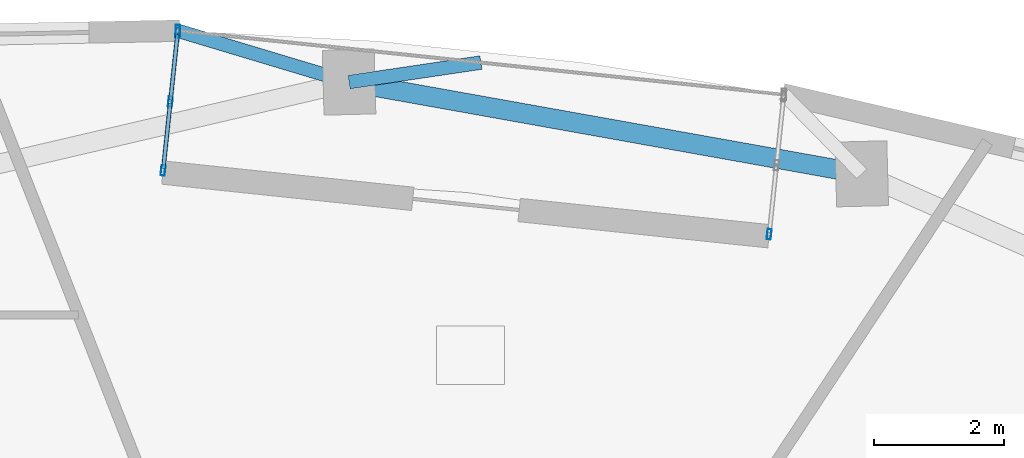
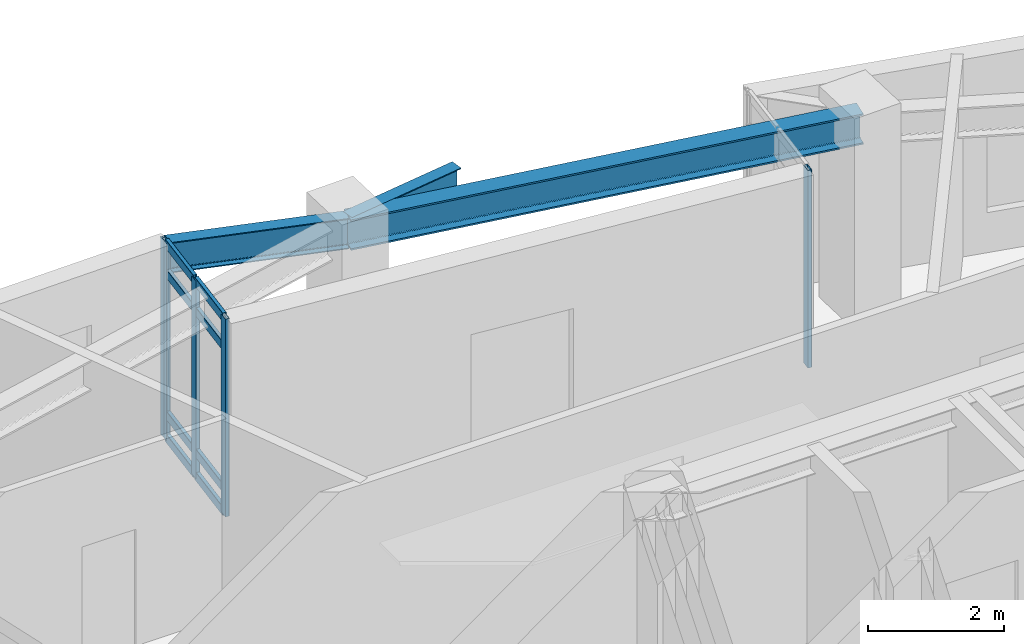
# One storey, part 2 of 11: 13 members, 3 beams, 2 elements without a shape of their own.
"""IFC4 building model written with IfcOpenShell, lengths in metres."""

import ifcopenshell
import ifcopenshell.guid

model = None  # the IFC model being written
_history = None  # IfcOwnerHistory: only IFC2X3 demands one
_inside = {}  # id of a spatial element -> (the spatial element, [elements in it])
_under = {}  # id of a project, library or spatial element -> (it, [spatial elements below it])
_declared = {}  # id of a project -> (the project, [libraries it declares])
_typed = {}  # id of a type object -> (the type object, [elements of that type])
_made_of = {}  # id of a material, layer set ... -> (it, [elements and type objects made of it])


def new_model(schema):
    """Start an empty IFC model of exactly this schema.

    Asked for "IFC4X3", IfcOpenShell would pick the latest addendum, in which some entities
    have other attributes; the version numbers below select the first issue.
    IFC2X3 requires an IfcOwnerHistory on every rooted entity: one is made here for all.
    """
    global model, _history
    if schema == "IFC4X3":
        model = ifcopenshell.file(schema_version=(4, 3, 0, 0))
    else:
        model = ifcopenshell.file(schema=schema)
    _inside.clear()
    _under.clear()
    _declared.clear()
    _typed.clear()
    _made_of.clear()
    _history = None
    if model.schema == "IFC2X3":
        org = make("IfcOrganization", Name="unknown")
        user = make(
            "IfcPersonAndOrganization",
            ThePerson=make("IfcPerson", FamilyName="unknown"),
            TheOrganization=org,
        )
        app = make(
            "IfcApplication",
            ApplicationDeveloper=org,
            Version="unknown",
            ApplicationFullName="unknown",
            ApplicationIdentifier="unknown",
        )
        _history = make(
            "IfcOwnerHistory",
            OwningUser=user,
            OwningApplication=app,
            ChangeAction="ADDED",
            CreationDate=0,
        )
    return model


def make(cls, **values):
    """One entity of the class cls with the attributes given. An attribute that is None is left unset."""
    return model.create_entity(
        cls, **{name: value for name, value in values.items() if value is not None}
    )


def rooted(cls, **values):
    """An entity with a GlobalId (a new one), such as an element, a storey or a relation."""
    return make(cls, GlobalId=ifcopenshell.guid.new(), OwnerHistory=_history, **values)


def si_unit(unit_type, name, prefix=None):
    """IfcSIUnit, for example si_unit("LENGTHUNIT", "METRE", prefix="MILLI")."""
    return make("IfcSIUnit", UnitType=unit_type, Prefix=prefix, Name=name)


def assignment(units):
    """IfcUnitAssignment: the units of a project."""
    return None if units is None else make("IfcUnitAssignment", Units=units)


def point(xyz):
    """IfcCartesianPoint."""
    return None if xyz is None else make("IfcCartesianPoint", Coordinates=xyz)


def direction(xyz):
    """IfcDirection."""
    return None if xyz is None else make("IfcDirection", DirectionRatios=xyz)


def frame(location, z_axis=None, x_axis=None):
    """IfcAxis2Placement3D, a coordinate frame: its origin and axes. An axis left out is left unset."""
    return make(
        "IfcAxis2Placement3D",
        Location=point(location),
        Axis=direction(z_axis),
        RefDirection=direction(x_axis),
    )


def frame_2d(location, x_axis=None):
    """IfcAxis2Placement2D, a coordinate frame in the plane: its origin and x axis."""
    return make(
        "IfcAxis2Placement2D", Location=point(location), RefDirection=direction(x_axis)
    )


def origin():
    """The frame at (0, 0, 0) with its axes left unset."""
    return frame((0.0, 0.0, 0.0))


def origin_2d():
    """The frame at (0, 0) in the plane with its x axis left unset."""
    return frame_2d((0.0, 0.0))


def place(relative_to, where):
    """IfcLocalPlacement: puts the frame where relative to a parent placement (None: the world)."""
    return make(
        "IfcLocalPlacement", PlacementRelTo=relative_to, RelativePlacement=where
    )


def context(
    kind, dimensions, precision=None, world=None, true_north=None, identifier=None
):
    """IfcGeometricRepresentationContext, for example the 3D "Model" context."""
    return make(
        "IfcGeometricRepresentationContext",
        ContextIdentifier=identifier,
        ContextType=kind,
        CoordinateSpaceDimension=dimensions,
        Precision=precision,
        WorldCoordinateSystem=world,
        TrueNorth=true_north,
    )


def subcontext(parent, identifier, kind, view, scale=None):
    """IfcGeometricRepresentationSubContext, for example "Body" below "Model"."""
    return make(
        "IfcGeometricRepresentationSubContext",
        ContextIdentifier=identifier,
        ContextType=kind,
        ParentContext=parent,
        TargetScale=scale,
        TargetView=view,
    )


def project(units=None, contexts=None):
    """IfcProject with its units and contexts."""
    return rooted(
        "IfcProject",
        Name="project",
        RepresentationContexts=contexts,
        UnitsInContext=assignment(units),
    )


def spatial(cls, under=None, at=None, **own):
    """A site, building, storey or space (cls), placed at a placement, below another one or the project."""
    s = rooted(cls, ObjectPlacement=at, **own)
    if under is not None:
        _under.setdefault(under.id(), (under, []))[1].append(s)
    return s


def profile(cls, at=None, kind="AREA", **sizes):
    """A parametric profile (cls). Its sizes go by their IFC names, for example OverallWidth=200.0."""
    return make(cls, ProfileType=kind, Position=at, **sizes)


def hollow_rectangle(**sizes):
    """IfcRectangleHollowProfileDef."""
    return profile("IfcRectangleHollowProfileDef", **sizes)


def i_section(**sizes):
    """IfcIShapeProfileDef."""
    return profile("IfcIShapeProfileDef", **sizes)


def extrude(swept, where, along, depth):
    """IfcExtrudedAreaSolid: the profile swept, set in the frame where, extruded along a direction by depth."""
    return make(
        "IfcExtrudedAreaSolid",
        SweptArea=swept,
        Position=where,
        ExtrudedDirection=direction(along),
        Depth=depth,
    )


def shape(context_of_items, identifier, shape_type, items):
    """IfcShapeRepresentation: the items that make up one representation, for example the "Body"."""
    return make(
        "IfcShapeRepresentation",
        ContextOfItems=context_of_items,
        RepresentationIdentifier=identifier,
        RepresentationType=shape_type,
        Items=items,
    )


def material(Name=None, Category=None):
    """IfcMaterial."""
    return make("IfcMaterial", Name=Name, Category=Category)


def layer(
    of_material, thickness, ventilated=None, Name=None, Category=None, Priority=None
):
    """IfcMaterialLayer: one layer of a wall or slab, of a material (None: an air gap)."""
    return make(
        "IfcMaterialLayer",
        Material=of_material,
        LayerThickness=thickness,
        IsVentilated=ventilated,
        Name=Name,
        Category=Category,
        Priority=Priority,
    )


def layer_set(layers, Name=None):
    """IfcMaterialLayerSet."""
    return make("IfcMaterialLayerSet", MaterialLayers=layers, LayerSetName=Name)


def material_profile(
    of_material, cross_section, Name=None, Category=None, Priority=None
):
    """IfcMaterialProfile: a cross section and its material."""
    return make(
        "IfcMaterialProfile",
        Name=Name,
        Material=of_material,
        Profile=cross_section,
        Priority=Priority,
        Category=Category,
    )


def profile_set(profiles, Name=None, composite=None):
    """IfcMaterialProfileSet."""
    return make(
        "IfcMaterialProfileSet",
        Name=Name,
        MaterialProfiles=profiles,
        CompositeProfile=composite,
    )


def made_of(thing, what):
    """Note that an element or type object is made of a material, layer set ...; save() writes the relation."""
    if what is not None:
        _made_of.setdefault(what.id(), (what, []))[1].append(thing)
    return thing


def type_object(cls, material=None, **own):
    """A type object (cls), such as IfcWallType, which elements share."""
    return made_of(rooted(cls, **own), material)


def element(
    cls,
    number,
    at=None,
    inside=None,
    cuts=None,
    type_object=None,
    material=None,
    context=None,
    identifier="Body",
    shape_type=None,
    held_by="IfcProductDefinitionShape",
    body=None,
    shapes=None,
    **own,
):
    """One element of the class cls, such as IfcWall. Its Tag is "e" and its number.

    at: its placement. inside: the storey or other place that contains it. cuts: it is an
    opening in that element (IfcRelVoidsElement). A single representation is given by context,
    identifier, shape_type and body (its items); several are given by shapes. held_by: the class
    of the entity that holds the representations. save() writes the other relations.
    """
    e = rooted(cls, Tag="e%d" % number, ObjectPlacement=at, **own)
    if body is not None:
        shapes = [shape(context, identifier, shape_type, body)]
    if shapes is not None:
        e.Representation = make(held_by, Representations=shapes)
    if inside is not None:
        _inside.setdefault(inside.id(), (inside, []))[1].append(e)
    if cuts is not None:
        rooted(
            "IfcRelVoidsElement", RelatingBuildingElement=cuts, RelatedOpeningElement=e
        )
    if type_object is not None:
        _typed.setdefault(type_object.id(), (type_object, []))[1].append(e)
    return made_of(e, material)


def aggregate(whole, parts):
    """IfcRelAggregates: a whole, such as a stair, and the parts it consists of."""
    return rooted("IfcRelAggregates", RelatingObject=whole, RelatedObjects=parts)


def save(model, path):
    """Write the relations noted so far, then the file.

    IfcRelAggregates (storeys below a building ...), IfcRelContainedInSpatialStructure (elements
    in a storey), IfcRelDefinesByType, IfcRelAssociatesMaterial and IfcRelDeclares: one each for
    every whole, place, type object, material and project.
    """
    for whole, parts in _under.values():
        aggregate(whole, parts)
    for where, things in _inside.values():
        rooted(
            "IfcRelContainedInSpatialStructure",
            RelatedElements=things,
            RelatingStructure=where,
        )
    for kind, things in _typed.values():
        rooted("IfcRelDefinesByType", RelatedObjects=things, RelatingType=kind)
    for what, things in _made_of.values():
        rooted("IfcRelAssociatesMaterial", RelatedObjects=things, RelatingMaterial=what)
    for by, libraries in _declared.values():
        rooted("IfcRelDeclares", RelatingContext=by, RelatedDefinitions=libraries)
    model.write(path)


model = new_model("IFC4")

# Units and contexts
model_context = context("Model", 3, precision=1e-05, world=origin(), true_north=direction((0.0, 1.0)))
body_context = subcontext(model_context, "Body", "Model", "MODEL_VIEW")
ifc_project = project(units=[si_unit("LENGTHUNIT", "METRE"), si_unit("AREAUNIT", "SQUARE_METRE"), si_unit("VOLUMEUNIT", "CUBIC_METRE"), si_unit("PLANEANGLEUNIT", "RADIAN"), si_unit("MASSUNIT", "GRAM", prefix="KILO")], contexts=[model_context])

# Site, building, storey
site_placement = place(None, origin())
site = spatial("IfcSite", under=ifc_project, at=site_placement, CompositionType="ELEMENT")
building_placement = place(site_placement, origin())
building = spatial("IfcBuilding", under=site, at=building_placement, Name="Ndelora Gate Hotel", CompositionType="ELEMENT")
storey_placement = place(building_placement, frame((0.0, 0.0, 186.550048828125)))
storey = spatial("IfcBuildingStorey", under=building, at=storey_placement, Name="L46", CompositionType="ELEMENT", Elevation=186.550048828125)

# Beams
ifc_material_1 = material(Name="Steel S355", Category="steel")
ifc_material_profile_1 = material_profile(ifc_material_1, i_section(OverallWidth=0.2099609375, OverallDepth=0.550048828125, WebThickness=0.010986328125, FlangeThickness=0.01708984375, FilletRadius=0.02392578125, at=origin_2d()), Name="IPE 550")
ifc_profile_set_1 = profile_set([ifc_material_profile_1], Name="Steel S355")
beam_type_1 = type_object("IfcBeamType", Name="BM-RAD-550", PredefinedType="BEAM", material=ifc_profile_set_1)
beam_1_placement = place(storey_placement, frame((-0.399169921875, 15.242919921875, 3.27490234375), z_axis=(0.989197083219, 0.146591713786, 0.0), x_axis=(-0.146591713786, 0.989197083219, 0.0)))
element("IfcBeam", 1, at=beam_1_placement, inside=storey, type_object=beam_type_1, Name="L46 Sky-Garden Loggia Column Bracket 2", PredefinedType="BEAM", context=body_context, shape_type="SweptSolid", body=[
    extrude(i_section(OverallWidth=0.2099609375, OverallDepth=0.550048828125, WebThickness=0.010986328125, FlangeThickness=0.01708984375, FilletRadius=0.02392578125, at=origin_2d()), origin(), (0.0, 0.0, 1.0), 2.05517578125),
])
beam_2_placement = place(storey_placement, frame((-0.399169921875, 15.242919921875, 3.27490234375), z_axis=(-0.957794603909, 0.287453468795, 0.0), x_axis=(-0.287453468795, -0.957794603909, 0.0)))
element("IfcBeam", 2, at=beam_2_placement, inside=storey, type_object=beam_type_1, Name="L46 Sky-Garden Loggia Column Bracket 3", PredefinedType="BEAM", context=body_context, shape_type="SweptSolid", body=[
    extrude(i_section(OverallWidth=0.2099609375, OverallDepth=0.550048828125, WebThickness=0.010986328125, FlangeThickness=0.01708984375, FilletRadius=0.02392578125, at=origin_2d()), origin(), (0.0, 0.0, 1.0), 2.7578125),
])
ifc_material_profile_2 = material_profile(ifc_material_1, i_section(OverallWidth=0.300048828125, OverallDepth=0.550048828125, WebThickness=0.014892578125, FlangeThickness=0.029052734375, FilletRadius=0.027099609375, at=origin_2d()), Name="HEB 550")
ifc_profile_set_2 = profile_set([ifc_material_profile_2], Name="Steel S355")
beam_type_2 = type_object("IfcBeamType", Name="BM-RING-550", PredefinedType="SPANDREL", material=ifc_profile_set_2)
beam_3_placement = place(storey_placement, frame((7.50830078125, 13.828369140625, 3.27490234375), z_axis=(-0.984373619655, 0.176092523767, 0.0), x_axis=(-0.176092523767, -0.984373619655, 0.0)))
element("IfcBeam", 3, at=beam_3_placement, inside=storey, type_object=beam_type_2, Name="L46 Perimeter Spandrel Girder 10", PredefinedType="SPANDREL", context=body_context, shape_type="SweptSolid", body=[
    extrude(i_section(OverallWidth=0.300048828125, OverallDepth=0.550048828125, WebThickness=0.014892578125, FlangeThickness=0.029052734375, FilletRadius=0.027099609375, at=origin_2d()), origin(), (0.0, 0.0, 1.0), 8.032958984375),
])

# Curtain wall, member
ifc_material_2 = material(Name="Bronze Anodised Unitised Aluminium and Low-E Glass", Category="aluminium")
ifc_layer = layer(ifc_material_2, 0.199951171875)
ifc_layer_set = layer_set([ifc_layer], Name="Bronze Anodised Unitised Aluminium and Low-E Glass")
curtain_wall_type = type_object("IfcCurtainWallType", Name="CW-SYS-3", PredefinedType="NOTDEFINED", material=ifc_layer_set)
curtain_wall_1_placement = place(storey_placement, origin())
curtain_wall_1 = element("IfcCurtainWall", 4, at=curtain_wall_1_placement, inside=storey, type_object=curtain_wall_type, Name="L46 Sky-Garden Loggia Side Curtain Wall CW3-1", PredefinedType="NOTDEFINED")
ifc_material_3 = material(Name="Bronze Anodised Aluminium 6063-T6", Category="aluminium")
ifc_material_profile_3 = material_profile(ifc_material_3, hollow_rectangle(XDim=0.06494140625, YDim=0.159912109375, WallThickness=0.00390625, InnerFilletRadius=0.00390625, OuterFilletRadius=0.008056640625, at=origin_2d()), Name="ALU 160x65x4")
ifc_profile_set_3 = profile_set([ifc_material_profile_3], Name="Bronze Anodised Aluminium 6063-T6")
member_type_1 = type_object("IfcMemberType", Name="MB-CW-MUL150", PredefinedType="MULLION", material=ifc_profile_set_3)
member_1_placement = place(storey_placement, frame((6.08154296875, 12.897216796875, -0.004150390625), z_axis=(0.0, 0.0, 1.0), x_axis=(-0.994525111167, 0.104497862459, 0.0)))
member_1 = element("IfcMember", 5, at=member_1_placement, type_object=member_type_1, Name="CW3 mullion 1", PredefinedType="MULLION", context=body_context, shape_type="SweptSolid", body=[
    extrude(hollow_rectangle(XDim=0.06494140625, YDim=0.159912109375, WallThickness=0.00390625, InnerFilletRadius=0.00390625, OuterFilletRadius=0.008056640625, at=origin_2d()), origin(), (0.0, 0.0, 1.0), 3.55810546875),
])
aggregate(curtain_wall_1, [member_1])

# Curtain wall, members
curtain_wall_2_placement = place(storey_placement, origin())
curtain_wall_2 = element("IfcCurtainWall", 6, at=curtain_wall_2_placement, inside=storey, type_object=curtain_wall_type, Name="L46 Sky-Garden Loggia Side Curtain Wall CW3-2", PredefinedType="NOTDEFINED")
member_2_placement = place(storey_placement, frame((-3.0439453125, 16.003173828125, -0.004150390625), z_axis=(0.0, 0.0, 1.0), x_axis=(0.994525111167, -0.104497862459, 0.0)))
member_2 = element("IfcMember", 7, at=member_2_placement, type_object=member_type_1, Name="CW3 mullion 1", PredefinedType="MULLION", context=body_context, shape_type="SweptSolid", body=[
    extrude(hollow_rectangle(XDim=0.06494140625, YDim=0.159912109375, WallThickness=0.00390625, InnerFilletRadius=0.00390625, OuterFilletRadius=0.008056640625, at=origin_2d()), origin(), (0.0, 0.0, 1.0), 3.55810546875),
])
member_3_placement = place(storey_placement, frame((-3.155517578125, 14.941650390625, -0.004150390625), z_axis=(0.0, 0.0, 1.0), x_axis=(0.994525111167, -0.104497862459, 0.0)))
member_3 = element("IfcMember", 8, at=member_3_placement, type_object=member_type_1, Name="CW3 mullion 2", PredefinedType="MULLION", context=body_context, shape_type="SweptSolid", body=[
    extrude(hollow_rectangle(XDim=0.06494140625, YDim=0.159912109375, WallThickness=0.00390625, InnerFilletRadius=0.00390625, OuterFilletRadius=0.008056640625, at=origin_2d()), origin(), (0.0, 0.0, 1.0), 3.55810546875),
])
member_4_placement = place(storey_placement, frame((-3.26708984375, 13.8798828125, -0.004150390625), z_axis=(0.0, 0.0, 1.0), x_axis=(0.994525111167, -0.104497862459, 0.0)))
member_4 = element("IfcMember", 9, at=member_4_placement, type_object=member_type_1, Name="CW3 mullion 3", PredefinedType="MULLION", context=body_context, shape_type="SweptSolid", body=[
    extrude(hollow_rectangle(XDim=0.06494140625, YDim=0.159912109375, WallThickness=0.00390625, InnerFilletRadius=0.00390625, OuterFilletRadius=0.008056640625, at=origin_2d()), origin(), (0.0, 0.0, 1.0), 3.55810546875),
])
ifc_material_profile_4 = material_profile(ifc_material_3, hollow_rectangle(XDim=0.070068359375, YDim=0.179931640625, WallThickness=0.0048828125, InnerFilletRadius=0.0048828125, OuterFilletRadius=0.010009765625, at=origin_2d()), Name="ALU 180x70x5")
ifc_profile_set_4 = profile_set([ifc_material_profile_4], Name="Bronze Anodised Aluminium 6063-T6")
member_type_2 = type_object("IfcMemberType", Name="MB-CW-MUL180", PredefinedType="MULLION", material=ifc_profile_set_4)
member_5_placement = place(storey_placement, frame((-3.04052734375, 16.03564453125, 0.0), z_axis=(0.0, 0.0, 1.0), x_axis=(1.0, 0.0, 0.0)))
member_5 = element("IfcMember", 10, at=member_5_placement, type_object=member_type_2, Name="L46 Sky-Garden Loggia Corner Mullion Post 2", PredefinedType="MULLION", context=body_context, shape_type="SweptSolid", body=[
    extrude(hollow_rectangle(XDim=0.070068359375, YDim=0.179931640625, WallThickness=0.0048828125, InnerFilletRadius=0.0048828125, OuterFilletRadius=0.010009765625, at=origin_2d()), origin(), (0.0, 0.0, 1.0), 3.550048828125),
])
ifc_material_profile_5 = material_profile(ifc_material_3, hollow_rectangle(XDim=0.06494140625, YDim=0.159912109375, WallThickness=0.00390625, InnerFilletRadius=0.00390625, OuterFilletRadius=0.008056640625, at=origin_2d()), Name="ALU 160x65x4")
ifc_profile_set_5 = profile_set([ifc_material_profile_5], Name="Bronze Anodised Aluminium 6063-T6")
member_type_3 = type_object("IfcMemberType", Name="MB-CW-TRN150", PredefinedType="USERDEFINED", material=ifc_profile_set_5)
member_6_placement = place(storey_placement, frame((-3.046630859375, 15.976806640625, 0.032470703125), z_axis=(-0.104459259027, -0.994529166593, 0.0), x_axis=(0.994529166593, -0.104459259027, 0.0)))
member_6 = element("IfcMember", 11, at=member_6_placement, type_object=member_type_3, Name="CW3 transom 1.1", ObjectType="TRANSOM", PredefinedType="USERDEFINED", context=body_context, shape_type="SweptSolid", body=[
    extrude(hollow_rectangle(XDim=0.06494140625, YDim=0.159912109375, WallThickness=0.00390625, InnerFilletRadius=0.00390625, OuterFilletRadius=0.008056640625, at=origin_2d()), origin(), (0.0, 0.0, 1.0), 1.014404296875),
])
member_7_placement = place(storey_placement, frame((-3.046630859375, 15.976806640625, 0.449951171875), z_axis=(-0.104459259027, -0.994529166593, 0.0), x_axis=(0.994529166593, -0.104459259027, 0.0)))
member_7 = element("IfcMember", 12, at=member_7_placement, type_object=member_type_3, Name="CW3 transom 1.2", ObjectType="TRANSOM", PredefinedType="USERDEFINED", context=body_context, shape_type="SweptSolid", body=[
    extrude(hollow_rectangle(XDim=0.06494140625, YDim=0.159912109375, WallThickness=0.00390625, InnerFilletRadius=0.00390625, OuterFilletRadius=0.008056640625, at=origin_2d()), origin(), (0.0, 0.0, 1.0), 1.014404296875),
])
member_8_placement = place(storey_placement, frame((-3.046630859375, 15.976806640625, 3.0), z_axis=(-0.104459259027, -0.994529166593, 0.0), x_axis=(0.994529166593, -0.104459259027, 0.0)))
member_8 = element("IfcMember", 13, at=member_8_placement, type_object=member_type_3, Name="CW3 transom 1.3", ObjectType="TRANSOM", PredefinedType="USERDEFINED", context=body_context, shape_type="SweptSolid", body=[
    extrude(hollow_rectangle(XDim=0.06494140625, YDim=0.159912109375, WallThickness=0.00390625, InnerFilletRadius=0.00390625, OuterFilletRadius=0.008056640625, at=origin_2d()), origin(), (0.0, 0.0, 1.0), 1.014404296875),
])
member_9_placement = place(storey_placement, frame((-3.046630859375, 15.976806640625, 3.517333984375), z_axis=(-0.104459259027, -0.994529166593, 0.0), x_axis=(0.994529166593, -0.104459259027, 0.0)))
member_9 = element("IfcMember", 14, at=member_9_placement, type_object=member_type_3, Name="CW3 transom 1.4", ObjectType="TRANSOM", PredefinedType="USERDEFINED", context=body_context, shape_type="SweptSolid", body=[
    extrude(hollow_rectangle(XDim=0.06494140625, YDim=0.159912109375, WallThickness=0.00390625, InnerFilletRadius=0.00390625, OuterFilletRadius=0.008056640625, at=origin_2d()), origin(), (0.0, 0.0, 1.0), 1.014404296875),
])
member_10_placement = place(storey_placement, frame((-3.158203125, 14.915283203125, 0.032470703125), z_axis=(-0.104434260277, -0.994531791991, 0.0), x_axis=(0.994531791991, -0.104434260277, 0.0)))
member_10 = element("IfcMember", 15, at=member_10_placement, type_object=member_type_3, Name="CW3 transom 2.1", ObjectType="TRANSOM", PredefinedType="USERDEFINED", context=body_context, shape_type="SweptSolid", body=[
    extrude(hollow_rectangle(XDim=0.06494140625, YDim=0.159912109375, WallThickness=0.00390625, InnerFilletRadius=0.00390625, OuterFilletRadius=0.008056640625, at=origin_2d()), origin(), (0.0, 0.0, 1.0), 1.0146484375),
])
member_11_placement = place(storey_placement, frame((-3.158203125, 14.915283203125, 0.449951171875), z_axis=(-0.104434260277, -0.994531791991, 0.0), x_axis=(0.994531791991, -0.104434260277, 0.0)))
member_11 = element("IfcMember", 16, at=member_11_placement, type_object=member_type_3, Name="CW3 transom 2.2", ObjectType="TRANSOM", PredefinedType="USERDEFINED", context=body_context, shape_type="SweptSolid", body=[
    extrude(hollow_rectangle(XDim=0.06494140625, YDim=0.159912109375, WallThickness=0.00390625, InnerFilletRadius=0.00390625, OuterFilletRadius=0.008056640625, at=origin_2d()), origin(), (0.0, 0.0, 1.0), 1.0146484375),
])
member_12_placement = place(storey_placement, frame((-3.158203125, 14.915283203125, 3.0), z_axis=(-0.104434260277, -0.994531791991, 0.0), x_axis=(0.994531791991, -0.104434260277, 0.0)))
member_12 = element("IfcMember", 17, at=member_12_placement, type_object=member_type_3, Name="CW3 transom 2.3", ObjectType="TRANSOM", PredefinedType="USERDEFINED", context=body_context, shape_type="SweptSolid", body=[
    extrude(hollow_rectangle(XDim=0.06494140625, YDim=0.159912109375, WallThickness=0.00390625, InnerFilletRadius=0.00390625, OuterFilletRadius=0.008056640625, at=origin_2d()), origin(), (0.0, 0.0, 1.0), 1.0146484375),
])
member_13_placement = place(storey_placement, frame((-3.158203125, 14.915283203125, 3.517333984375), z_axis=(-0.104434260277, -0.994531791991, 0.0), x_axis=(0.994531791991, -0.104434260277, 0.0)))
member_13 = element("IfcMember", 18, at=member_13_placement, type_object=member_type_3, Name="CW3 transom 2.4", ObjectType="TRANSOM", PredefinedType="USERDEFINED", context=body_context, shape_type="SweptSolid", body=[
    extrude(hollow_rectangle(XDim=0.06494140625, YDim=0.159912109375, WallThickness=0.00390625, InnerFilletRadius=0.00390625, OuterFilletRadius=0.008056640625, at=origin_2d()), origin(), (0.0, 0.0, 1.0), 1.0146484375),
])
aggregate(curtain_wall_2, [member_2, member_3, member_4, member_6, member_7, member_8, member_9, member_10, member_11, member_12, member_13, member_5])

save(model, "model.ifc")
